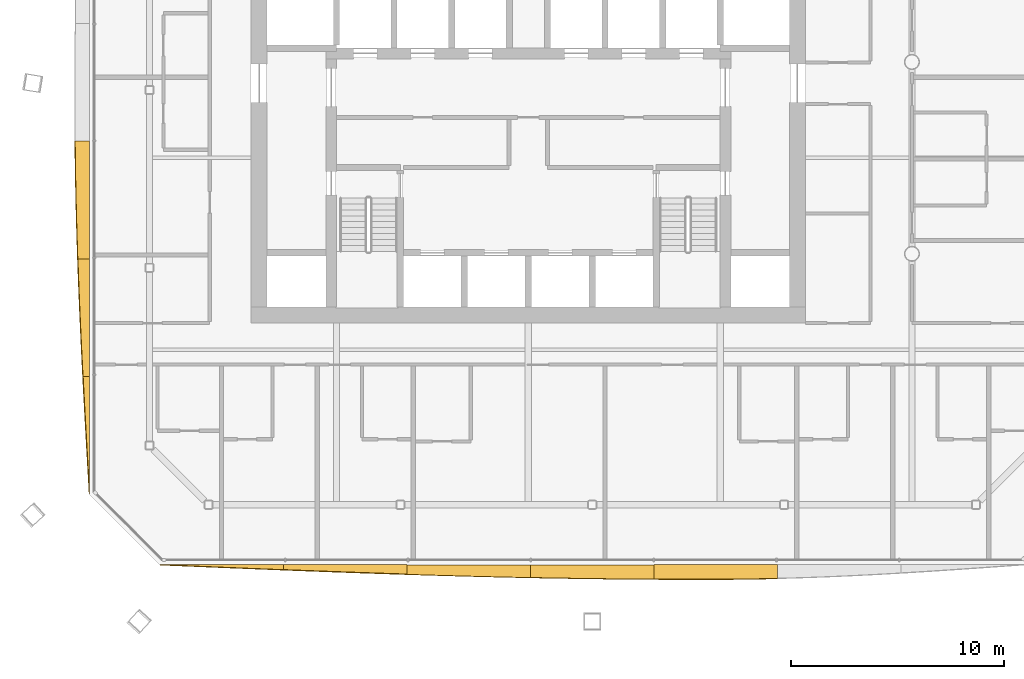
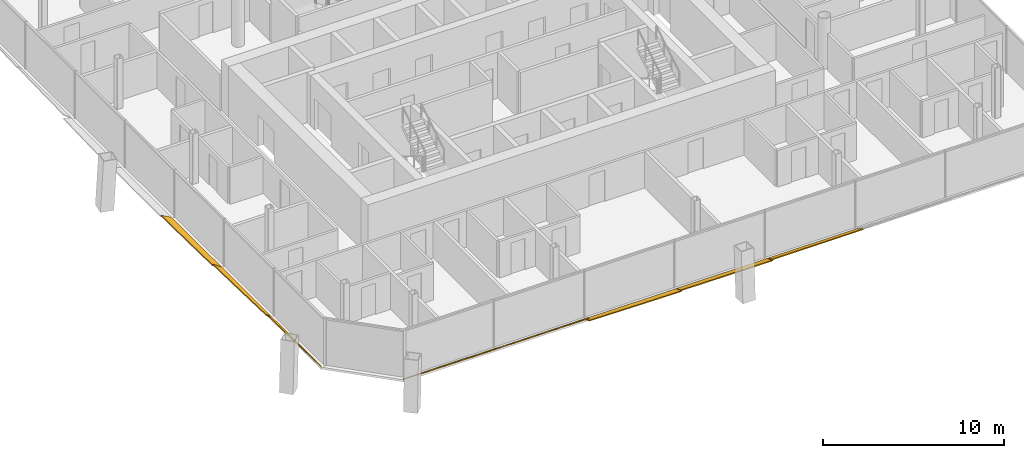
# One storey, part 18 of 22: 8 shading devices.
"""IFC4 building model written with IfcOpenShell, lengths in metres."""

from ifc_helpers import new_model, si_unit, direction, frame, origin, place, context, subcontext, project, spatial, polyline, outline, extrude, material, layer, layer_set, type_object, element, save


model = new_model("IFC4")

# Units and contexts
model_context = context("Model", 3, precision=1e-05, world=origin(), true_north=direction((0.0, 1.0)))
body_context = subcontext(model_context, "Body", "Model", "MODEL_VIEW")
ifc_project = project(units=[si_unit("LENGTHUNIT", "METRE"), si_unit("AREAUNIT", "SQUARE_METRE"), si_unit("VOLUMEUNIT", "CUBIC_METRE"), si_unit("PLANEANGLEUNIT", "RADIAN"), si_unit("MASSUNIT", "GRAM", prefix="KILO")], contexts=[model_context])

# Site, building, storey
site_placement = place(None, origin())
site = spatial("IfcSite", under=ifc_project, at=site_placement, CompositionType="ELEMENT")
building_placement = place(site_placement, origin())
building = spatial("IfcBuilding", under=site, at=building_placement, Name="Tskaro Facet Tower", CompositionType="ELEMENT")
storey_placement = place(building_placement, frame((0.0, 0.0, 124.89990234375)))
storey = spatial("IfcBuildingStorey", under=building, at=storey_placement, Name="L29", CompositionType="ELEMENT", Elevation=124.89990234375)

# Shading devices
ifc_material = material(Name="Bronze anodised aluminium 6063-T6", Category="aluminium")
ifc_layer = layer(ifc_material, 0.06005859375, Name="Bronze anodised aluminium 6063-T6")
ifc_layer_set = layer_set([ifc_layer], Name="Bronze anodised aluminium 6063-T6")
shading_device_type = type_object("IfcShadingDeviceType", Name="Bronze sun blade (FN1)", PredefinedType="USERDEFINED", material=ifc_layer_set)
shading_device_1_placement = place(storey_placement, frame((-17.27001953125, -23.58251953125, 0.04931640625), z_axis=(-3.269714e-06, 0.573182434957, 0.819427785864), x_axis=(0.999999999995, 1.874143e-06, 2.679295e-06)))
element("IfcShadingDevice", 1, at=shading_device_1_placement, inside=storey, type_object=shading_device_type, Name="Fin blade south 1", ObjectType="FIN", PredefinedType="USERDEFINED", context=body_context, shape_type="SweptSolid", body=[
    extrude(outline(polyline([(0.0, 0.0), (5.791503906219042, -1.2263986556864327e-21), (5.791503906280962, -0.28961129483324366), (5.06762695305547, -0.25472994458584797), (4.3435058594659655, -0.21930854599697358), (3.619628906304887, -0.18354715467840477), (2.8957519527506688, -0.14710577790044693), (2.17187500030813, -0.1106042826286151), (1.4479980465573419, -0.07382291312096283), (0.723876953293234, -0.03698142511943653), (0.0, 0.0)])), origin(), (0.0, 0.0, -1.0), 0.06005859375),
])
shading_device_2_placement = place(storey_placement, frame((-11.478515625, -23.578369140625, 0.046142578125), z_axis=(-6.255377e-06, 0.642566027086, 0.766230318374), x_axis=(0.99999999998, 4.019493e-06, 4.793059e-06)))
element("IfcShadingDevice", 2, at=shading_device_2_placement, inside=storey, type_object=shading_device_type, Name="Fin blade south 2", ObjectType="FIN", PredefinedType="USERDEFINED", context=body_context, shape_type="SweptSolid", body=[
    extrude(outline(polyline([(0.0, 0.0), (5.791259765511695, 2.452693913796296e-21), (5.791259765768705, -0.5808889955705956), (5.067382813250285, -0.5503803547665806), (4.343505858995107, -0.5186830042302508), (3.6196289063248552, -0.48592362895569974), (2.8957519532768847, -0.45247636484057857), (2.171630859037341, -0.4179972674646021), (1.4477539060263964, -0.38264321329923), (0.7238769526377333, -0.3466012702932877), (-1.4732641852083141e-10, -0.3096843704979497), (0.0, 0.0)])), origin(), (0.0, 0.0, -1.0), 0.06005859375),
])
shading_device_3_placement = place(storey_placement, frame((-5.687255859375, -23.596435546875, 0.056396484375), z_axis=(-5.894752e-06, 0.342099367251, 0.939663781835), x_axis=(0.999999999983, 2.016591e-06, 5.539085e-06)))
element("IfcShadingDevice", 3, at=shading_device_3_placement, inside=storey, type_object=shading_device_type, Name="Fin blade south 3", ObjectType="FIN", PredefinedType="USERDEFINED", context=body_context, shape_type="SweptSolid", body=[
    extrude(outline(polyline([(0.0, 0.0), (5.791503906149378, 1.2263986556864327e-21), (5.791503906819125, -0.6355537467366505), (5.067626953128011, -0.6194093522245246), (4.343749999193926, -0.6019508664907756), (3.6198730463691824, -0.5832618098887375), (2.8957519535364544, -0.5635715925214015), (2.1718749997334346, -0.5424837635791081), (1.4479980474074101, -0.5207077043278417), (0.7241210934860973, -0.4975340335016181), (4.1678403743444276e-10, -0.4736721323664216), (0.0, 0.0)])), origin(), (0.0, 0.0, -1.0), 0.06005859375),
])
shading_device_4_placement = place(storey_placement, frame((0.104248046875, -23.591552734375, 0.054443359375), z_axis=(5.782349e-06, 0.422607500493, 0.906312804993), x_axis=(0.999999999983, -2.443664e-06, -5.240617e-06)))
element("IfcShadingDevice", 4, at=shading_device_4_placement, inside=storey, type_object=shading_device_type, Name="Fin blade south 4", ObjectType="FIN", PredefinedType="USERDEFINED", context=body_context, shape_type="SweptSolid", body=[
    extrude(outline(polyline([(0.0, 0.0), (5.791503906153179, 0.0), (5.7915039065379155, -0.7447988217751763), (5.067626953094344, -0.7388991741396362), (4.34350585919828, -0.7319081040868523), (3.6196289061859686, -0.7232799004082023), (2.895751953432413, -0.7130145631036864), (2.1718749995719158, -0.7017609790412282), (1.4479980472496212, -0.6887670856936025), (0.7238769525987903, -0.6745636778133743), (2.4907031717819083e-11, -0.6591656718566005), (0.0, 0.0)])), origin(), (0.0, 0.0, -1.0), 0.06005859375),
])
shading_device_5_placement = place(storey_placement, frame((5.895751953125, -23.5869140625, 0.052001953125), z_axis=(-5.400678e-06, 0.499984953439, 0.866034090729), x_axis=(0.999999999985, 2.700258e-06, 4.677171e-06)))
element("IfcShadingDevice", 5, at=shading_device_5_placement, inside=storey, type_object=shading_device_type, Name="Fin blade south 5", ObjectType="FIN", PredefinedType="USERDEFINED", context=body_context, shape_type="SweptSolid", body=[
    extrude(outline(polyline([(0.0, 0.0), (5.791503906165539, 0.0), (5.791503906095913, -0.7402789823518189), (5.067382812897429, -0.7586607314067966), (4.343505859935593, -0.7727723691477737), (3.619628906102763, -0.7822803948315401), (2.8957519536827157, -0.7874289417361459), (2.4555664059782947, -0.7881853106877259), (2.171630859107436, -0.7881853106877259), (1.4477539058635431, -0.7867619402497257), (0.723876952490201, -0.7839151993737253), (-3.533481193505372e-10, -0.7794336539555397), (0.0, 0.0)])), origin(), (0.0, 0.0, -1.0), 0.06005859375),
])
shading_device_6_placement = place(storey_placement, frame((-20.5869140625, -3.715576171875, 0.052001953125), z_axis=(0.499990107859, -9.857284e-06, 0.866031114883), x_axis=(-4.928545e-06, -0.999999999951, -8.536715e-06)))
element("IfcShadingDevice", 6, at=shading_device_6_placement, inside=storey, type_object=shading_device_type, Name="Fin blade west 5", ObjectType="FIN", PredefinedType="USERDEFINED", context=body_context, shape_type="SweptSolid", body=[
    extrude(outline(polyline([(0.0, 0.0), (5.518066405981916, -4.673984051230883e-21), (5.518066407107004, -0.6325344266604884), (4.828369140873921, -0.6587893972449015), (4.13867187543557, -0.6827425613208137), (3.4487304680828013, -0.7045159867856576), (2.7590332021497526, -0.7239876057420007), (2.069335937892335, -0.740823916914743), (1.3796386711422315, -0.75526905609875), (0.6896972654427717, -0.7670788874991562), (-4.022720161789777e-11, -0.7763754790133942), (0.0, 0.0)])), origin(), (0.0, 0.0, -1.0), 0.06005859375),
])
shading_device_7_placement = place(storey_placement, frame((-20.58251953125, -9.233642578125, 0.04931640625), z_axis=(0.573470056474, 9.116382e-06, 0.819226521937), x_axis=(5.227972e-06, -0.999999999958, 7.468382e-06)))
element("IfcShadingDevice", 7, at=shading_device_7_placement, inside=storey, type_object=shading_device_type, Name="Fin blade west 6", ObjectType="FIN", PredefinedType="USERDEFINED", context=body_context, shape_type="SweptSolid", body=[
    extrude(outline(polyline([(0.0, 0.0), (5.518310546645691, 0.0), (5.518310547525262, -0.37407457635130564), (4.8283691398415804, -0.4168762425655583), (4.138671874971045, -0.4580578479152311), (3.4489746091889693, -0.4976793915374027), (2.7590332018703645, -0.535740873432073), (2.0693359386412657, -0.571982287987073), (1.3796386721303167, -0.606183619663457), (0.6899414059841881, -0.6386248831372491), (-2.396994729723195e-10, -0.6684260443071535), (0.0, 0.0)])), origin(), (0.0, 0.0, -1.0), 0.06005859375),
])
shading_device_8_placement = place(storey_placement, frame((-20.578369140625, -14.751953125, 0.046142578125), z_axis=(0.642414992364, -3.2942526e-05, 0.766356951101), x_axis=(-2.1162773e-05, -0.999999999457, -2.5245734e-05)))
element("IfcShadingDevice", 8, at=shading_device_8_placement, inside=storey, type_object=shading_device_type, Name="Fin blade west 7", ObjectType="FIN", PredefinedType="USERDEFINED", context=body_context, shape_type="SweptSolid", body=[
    extrude(outline(polyline([(0.0, 0.0), (5.51806640325587, 0.0), (4.82836914193873, -0.051827300318883385), (4.13842773483003, -0.10346750177265039), (3.448730469343015, -0.15476376476347076), (2.7590331996861237, -0.20552899042622813), (2.069091791397998, -0.2556063391630923), (1.3793945318918828, -0.3048389713762329), (0.6896972640460158, -0.3530095289332475), (-5.976093521732505e-09, -0.39996117223630584), (0.0, 0.0)])), origin(), (0.0, 0.0, -1.0), 0.06005859375),
])

save(model, "model.ifc")
